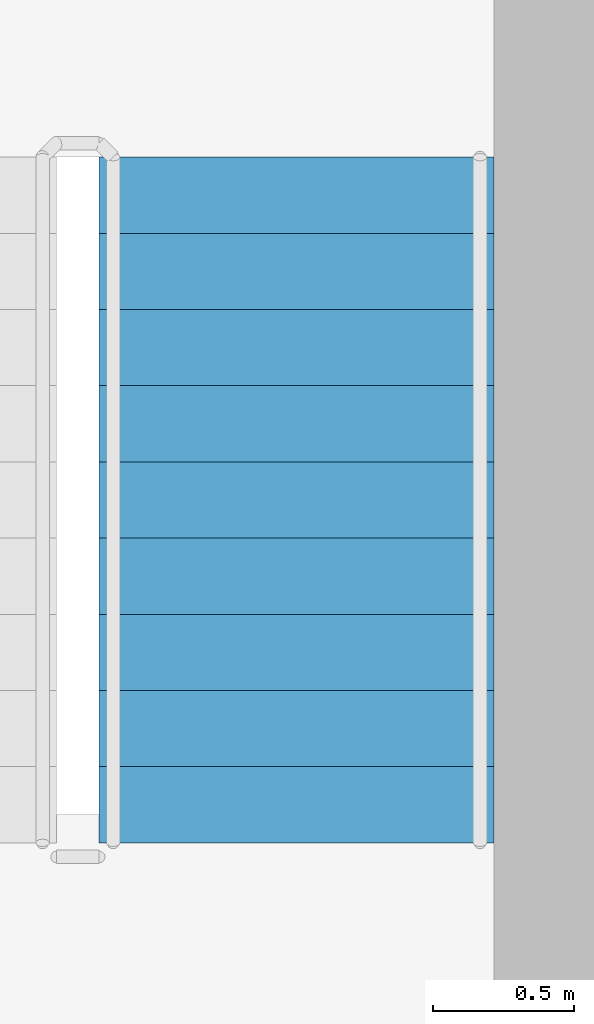
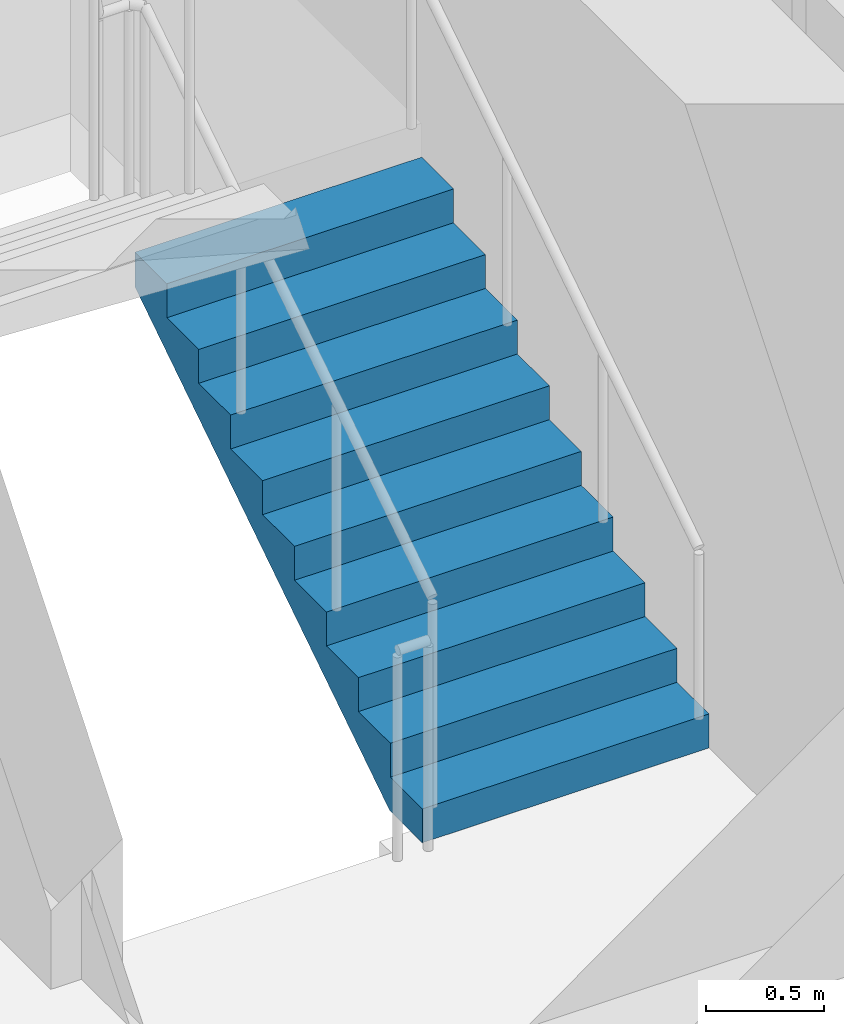
# One storey, part 13 of 20: 1 stair flight, 1 element without a shape of its own.
"""IFC4 building model written with IfcOpenShell, lengths in metres."""

from ifc_helpers import new_model, si_unit, direction, frame, origin, place, context, subcontext, project, spatial, polyline, outline, extrude, material, layer, layer_set, type_object, element, aggregate, save


model = new_model("IFC4")

# Units and contexts
model_context = context("Model", 3, precision=1e-05, world=origin(), true_north=direction((0.0, 1.0)))
body_context = subcontext(model_context, "Body", "Model", "MODEL_VIEW")
ifc_project = project(units=[si_unit("LENGTHUNIT", "METRE"), si_unit("AREAUNIT", "SQUARE_METRE"), si_unit("VOLUMEUNIT", "CUBIC_METRE"), si_unit("PLANEANGLEUNIT", "RADIAN"), si_unit("MASSUNIT", "GRAM", prefix="KILO")], contexts=[model_context])

# Site, building, storey
site_placement = place(None, origin())
site = spatial("IfcSite", under=ifc_project, at=site_placement, CompositionType="ELEMENT")
building_placement = place(site_placement, origin())
building = spatial("IfcBuilding", under=site, at=building_placement, Name="Saffron Iwan Residences", CompositionType="ELEMENT")
storey_placement = place(building_placement, frame((0.0, 0.0, 167.5)))
storey = spatial("IfcBuildingStorey", under=building, at=storey_placement, Name="L44", CompositionType="ELEMENT", Elevation=167.5)

# Stair, stair flight
ifc_material = material(Name="Concrete C50/60", Category="concrete")
stair_type = type_object("IfcStairType", Name="Stair ST-CORE", PredefinedType="HALF_TURN_STAIR", material=ifc_material)
stair_placement = place(storey_placement, origin())
stair = element("IfcStair", 1, at=stair_placement, inside=storey, type_object=stair_type, Name="L44 Exit Stair ST-E", PredefinedType="HALF_TURN_STAIR")
ifc_layer = layer(ifc_material, 0.14990234375)
ifc_layer_set = layer_set([ifc_layer], Name="Concrete C50/60")
stair_flight_type = type_object("IfcStairFlightType", Name="Stair flight SFL-RC", PredefinedType="STRAIGHT", material=ifc_layer_set)
stair_flight_placement = place(storey_placement, frame((70.39990234375, 67.85009765625, 0.0), z_axis=(0.0, 0.0, 1.0), x_axis=(0.0, 1.0, 0.0)))
stair_flight = element("IfcStairFlight", 2, at=stair_flight_placement, type_object=stair_flight_type, Name="ST-E flight 1", NumberOfRisers=10, NumberOfTreads=9, PredefinedType="STRAIGHT", RiserHeight=0.175, TreadLength=0.27, context=body_context, shape_type="SweptSolid", body=[
    extrude(outline(polyline([(0.0, 0.0), (0.0, 0.175048828125), (0.27001953125, 0.175048828125), (0.27001953125, 0.35009765625), (0.5400390625, 0.35009765625), (0.5400390625, 0.52490234375), (0.81005859375, 0.52490234375), (0.81005859375, 0.699951171875), (1.080078125, 0.699951171875), (1.080078125, 0.875), (1.35009765625, 0.875), (1.35009765625, 1.050048828125), (1.6201171875, 1.050048828125), (1.6201171875, 1.22509765625), (1.889892578125, 1.22509765625), (1.889892578125, 1.39990234375), (2.159912109375, 1.39990234375), (2.159912109375, 1.574951171875), (2.429931640625, 1.574951171875), (2.429931640625, 1.75), (2.429931640625, 1.396484375), (0.275634765625, 0.0), (0.0, 0.0)])), frame((0.0, 0.699951171875, 0.0), z_axis=(0.0, -1.0, 0.0), x_axis=(1.0, 0.0, 0.0)), (0.0, 0.0, 1.0), 1.39990234375),
])
aggregate(stair, [stair_flight])

save(model, "model.ifc")
